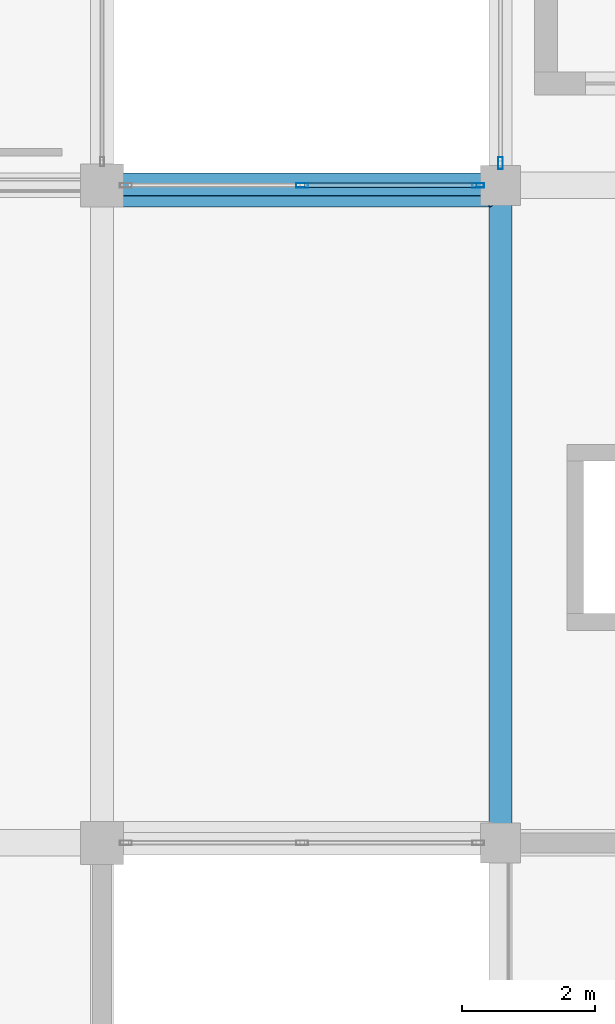
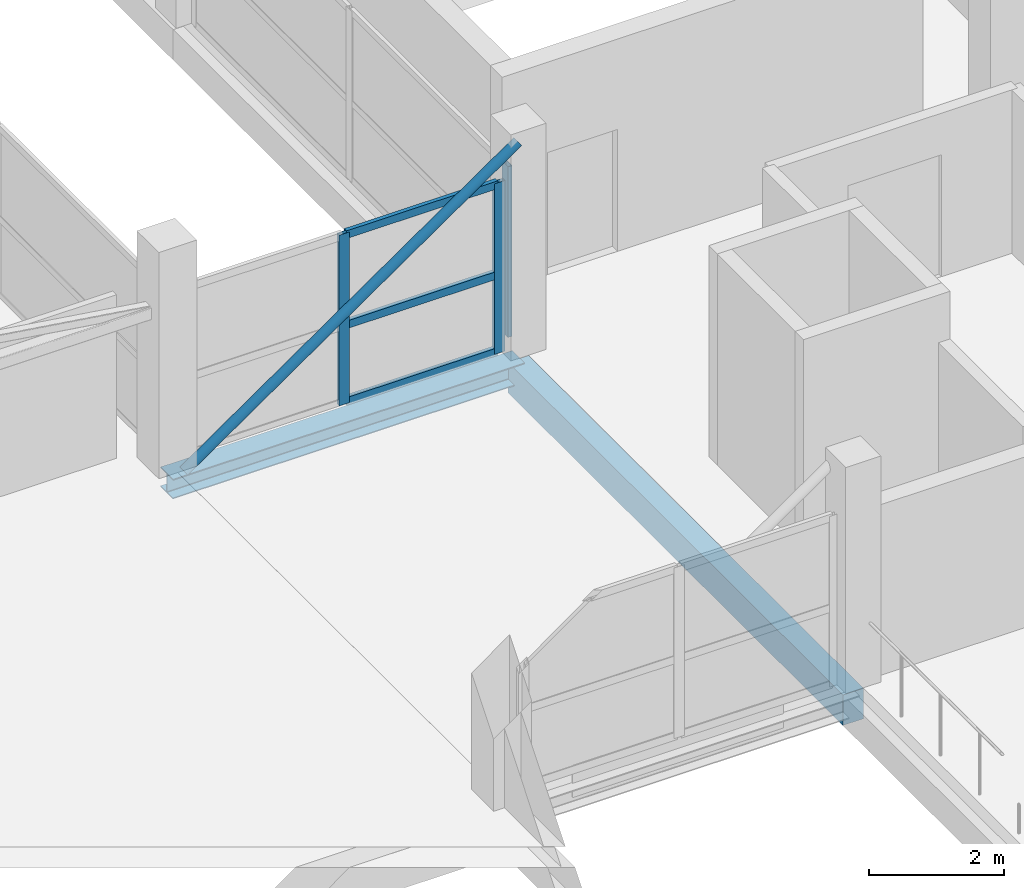
# One storey, part 15 of 53: 7 members, 2 beams, 2 elements without a shape of their own.
"""IFC4 building model written with IfcOpenShell, lengths in metres."""

from ifc_helpers import new_model, si_unit, direction, frame, origin, origin_2d, place, context, subcontext, project, spatial, rectangle, hollow_rectangle, hollow_circle, i_section, extrude, material, layer, layer_set, material_profile, profile_set, type_object, element, aggregate, save


model = new_model("IFC4")

# Units and contexts
model_context = context("Model", 3, precision=1e-05, world=origin(), true_north=direction((0.0, 1.0)))
body_context = subcontext(model_context, "Body", "Model", "MODEL_VIEW")
ifc_project = project(units=[si_unit("LENGTHUNIT", "METRE"), si_unit("AREAUNIT", "SQUARE_METRE"), si_unit("VOLUMEUNIT", "CUBIC_METRE"), si_unit("PLANEANGLEUNIT", "RADIAN"), si_unit("MASSUNIT", "GRAM", prefix="KILO")], contexts=[model_context])

# Site, building, storey
site_placement = place(None, origin())
site = spatial("IfcSite", under=ifc_project, at=site_placement, CompositionType="ELEMENT")
building_placement = place(site_placement, origin())
building = spatial("IfcBuilding", under=site, at=building_placement, Name="Sillaruma Civic Art Gallery", CompositionType="ELEMENT")
storey_placement = place(building_placement, frame((0.0, 0.0, 70.3798828125)))
storey = spatial("IfcBuildingStorey", under=building, at=storey_placement, Name="L14", CompositionType="ELEMENT", Elevation=70.3798828125)

# Beams
ifc_material_1 = material(Name="Structural Steel ASTM A992 Gr.50", Category="steel")
ifc_material_profile_1 = material_profile(ifc_material_1, i_section(OverallWidth=0.368896484375, OverallDepth=0.35595703125, WebThickness=0.01123046875, FlangeThickness=0.01806640625, FilletRadius=0.014892578125, at=origin_2d()), Name="W360x134")
ifc_profile_set_1 = profile_set([ifc_material_profile_1], Name="Structural Steel ASTM A992 Gr.50")
beam_type_1 = type_object("IfcBeamType", Name="BM-BRIDGE-W360x134", PredefinedType="SPANDREL", material=ifc_profile_set_1)
beam_1_placement = place(storey_placement, frame((92.0, 49.5, -0.387939453125), z_axis=(1.0, 0.0, 0.0), x_axis=(0.0, 1.0, 0.0)))
element("IfcBeam", 1, at=beam_1_placement, inside=storey, type_object=beam_type_1, Name="Sky-Bridge Steel Edge Girder (BRG-S:L14:N)", PredefinedType="SPANDREL", context=body_context, shape_type="SweptSolid", body=[
    extrude(i_section(OverallWidth=0.368896484375, OverallDepth=0.35595703125, WebThickness=0.01123046875, FlangeThickness=0.01806640625, FilletRadius=0.014892578125, at=origin_2d()), origin(), (0.0, 0.0, 1.0), 6.0),
])
ifc_material_2 = material(Name="Concrete H35 (35 MPa)", Category="concrete")
ifc_material_profile_2 = material_profile(ifc_material_2, rectangle(XDim=0.35009765625, YDim=0.550048828125, at=origin_2d()), Name="RCB350x550")
ifc_profile_set_2 = profile_set([ifc_material_profile_2], Name="Concrete H35 (35 MPa)")
beam_type_2 = type_object("IfcBeamType", Name="BM-SPANDREL-RCB350x550", PredefinedType="SPANDREL", material=ifc_profile_set_2)
beam_2_placement = place(storey_placement, frame((98.0, 39.60009765625, -0.52490234375), z_axis=(0.0, 1.0, 0.0), x_axis=(-1.0, 0.0, 0.0)))
element("IfcBeam", 2, at=beam_2_placement, inside=storey, type_object=beam_type_2, Name="Beam BS-04 (L13:L:5-6)", PredefinedType="SPANDREL", context=body_context, shape_type="SweptSolid", body=[
    extrude(rectangle(XDim=0.35009765625, YDim=0.550048828125, at=origin_2d()), origin(), (0.0, 0.0, 1.0), 9.89990234375),
])

# Member
ifc_material_3 = material(Name="Structural Steel ASTM A500 Gr.C", Category="steel")
ifc_material_profile_3 = material_profile(ifc_material_3, hollow_circle(Radius=0.084228515625, WallThickness=0.007080078125, at=origin_2d()), Name="CHS168.3x7.1")
ifc_profile_set_3 = profile_set([ifc_material_profile_3], Name="Structural Steel ASTM A500 Gr.C")
member_type_1 = type_object("IfcMemberType", Name="MEM-BRIDGE-BRACE", PredefinedType="BRACE", material=ifc_profile_set_3)
member_1_placement = place(storey_placement, frame((92.14990234375, 49.260009765625, -0.079833984375), z_axis=(0.821944981473, 0.0, 0.569566894606), x_axis=(0.0, 1.0, 0.0)))
element("IfcMember", 3, at=member_1_placement, inside=storey, type_object=member_type_1, Name="Sky-Bridge Elevation Truss Web Brace (BRG-S:L14:N)", PredefinedType="BRACE", context=body_context, shape_type="SweptSolid", body=[
    extrude(hollow_circle(Radius=0.084228515625, WallThickness=0.007080078125, at=origin_2d()), origin(), (0.0, 0.0, 1.0), 6.93505859375),
])

# Curtain wall, member
ifc_material_4 = material(Name="Thermally Broken Extruded Aluminium 6063-T6", Category="aluminium")
ifc_layer_1 = layer(ifc_material_4, 0.179931640625, Name="Thermally Broken Extruded Aluminium 6063-T6")
ifc_layer_set_1 = layer_set([ifc_layer_1], Name="Thermally Broken Extruded Aluminium 6063-T6")
curtain_wall_type_1 = type_object("IfcCurtainWallType", Name="CW-UNI-100", PredefinedType="NOTDEFINED", material=ifc_layer_set_1)
curtain_wall_1_placement = place(storey_placement, origin())
curtain_wall_1 = element("IfcCurtainWall", 4, at=curtain_wall_1_placement, inside=storey, type_object=curtain_wall_type_1, Name="Unitised Curtain Wall CW-100 (CW-L14-EHH-W1)", PredefinedType="NOTDEFINED")
ifc_material_profile_4 = material_profile(ifc_material_4, hollow_rectangle(XDim=0.070068359375, YDim=0.179931640625, WallThickness=0.00390625, at=origin_2d()), Name="CWM70x180")
ifc_profile_set_4 = profile_set([ifc_material_profile_4], Name="Thermally Broken Extruded Aluminium 6063-T6")
member_type_2 = type_object("IfcMemberType", Name="MEM-MUL-CWM70x180", PredefinedType="MULLION", material=ifc_profile_set_4)
member_2_placement = place(storey_placement, frame((98.0, 49.8349609375, 0.0), z_axis=(0.0, 0.0, 1.0), x_axis=(-1.0, 0.0, 0.0)))
member_2 = element("IfcMember", 5, at=member_2_placement, type_object=member_type_2, Name="CW-100 mullion 1", PredefinedType="MULLION", context=body_context, shape_type="SweptSolid", body=[
    extrude(hollow_rectangle(XDim=0.070068359375, YDim=0.179931640625, WallThickness=0.00390625, at=origin_2d()), origin(), (0.0, 0.0, 1.0), 3.080078125),
])
aggregate(curtain_wall_1, [member_2])

# Curtain wall, members
ifc_layer_2 = layer(ifc_material_4, 0.179931640625, Name="Thermally Broken Extruded Aluminium 6063-T6")
ifc_layer_set_2 = layer_set([ifc_layer_2], Name="Thermally Broken Extruded Aluminium 6063-T6")
curtain_wall_type_2 = type_object("IfcCurtainWallType", Name="CW-UNI-110", PredefinedType="NOTDEFINED", material=ifc_layer_set_2)
curtain_wall_2_placement = place(storey_placement, origin())
curtain_wall_2 = element("IfcCurtainWall", 6, at=curtain_wall_2_placement, inside=storey, type_object=curtain_wall_type_2, Name="Unitised Curtain Wall CW-110 (CW-BRG-S-L14-N)", PredefinedType="NOTDEFINED")
member_3_placement = place(storey_placement, frame((95.012451171875, 49.5, 0.0), z_axis=(0.0, 0.0, 1.0), x_axis=(0.0, 1.0, 0.0)))
member_3 = element("IfcMember", 7, at=member_3_placement, type_object=member_type_2, Name="CW-110 mullion 2", PredefinedType="MULLION", context=body_context, shape_type="SweptSolid", body=[
    extrude(hollow_rectangle(XDim=0.070068359375, YDim=0.179931640625, WallThickness=0.00390625, at=origin_2d()), origin(), (0.0, 0.0, 1.0), 3.080078125),
])
member_4_placement = place(storey_placement, frame((97.6650390625, 49.5, 0.0), z_axis=(0.0, 0.0, 1.0), x_axis=(0.0, 1.0, 0.0)))
member_4 = element("IfcMember", 8, at=member_4_placement, type_object=member_type_2, Name="CW-110 mullion 3", PredefinedType="MULLION", context=body_context, shape_type="SweptSolid", body=[
    extrude(hollow_rectangle(XDim=0.070068359375, YDim=0.179931640625, WallThickness=0.00390625, at=origin_2d()), origin(), (0.0, 0.0, 1.0), 3.080078125),
])
ifc_material_profile_5 = material_profile(ifc_material_4, hollow_rectangle(XDim=0.070068359375, YDim=0.139892578125, WallThickness=0.00390625, at=origin_2d()), Name="CWT70x140")
ifc_profile_set_5 = profile_set([ifc_material_profile_5], Name="Thermally Broken Extruded Aluminium 6063-T6")
member_type_3 = type_object("IfcMemberType", Name="MEM-TRN-CWT70x140", PredefinedType="USERDEFINED", material=ifc_profile_set_5)
member_5_placement = place(storey_placement, frame((95.047607421875, 49.5, 0.03515625), z_axis=(1.0, 0.0, 0.0), x_axis=(0.0, 1.0, 0.0)))
member_5 = element("IfcMember", 9, at=member_5_placement, type_object=member_type_3, Name="CW-110 transom 2.1", ObjectType="TRANSOM", PredefinedType="USERDEFINED", context=body_context, shape_type="SweptSolid", body=[
    extrude(hollow_rectangle(XDim=0.070068359375, YDim=0.139892578125, WallThickness=0.00390625, at=origin_2d()), origin(), (0.0, 0.0, 1.0), 2.582275390625),
])
member_6_placement = place(storey_placement, frame((95.047607421875, 49.5, 1.4169921875), z_axis=(1.0, 0.0, 0.0), x_axis=(0.0, 1.0, 0.0)))
member_6 = element("IfcMember", 10, at=member_6_placement, type_object=member_type_3, Name="CW-110 transom 2.2", ObjectType="TRANSOM", PredefinedType="USERDEFINED", context=body_context, shape_type="SweptSolid", body=[
    extrude(hollow_rectangle(XDim=0.070068359375, YDim=0.139892578125, WallThickness=0.00390625, at=origin_2d()), origin(), (0.0, 0.0, 1.0), 2.582275390625),
])
member_7_placement = place(storey_placement, frame((95.047607421875, 49.5, 3.045166015625), z_axis=(1.0, 0.0, 0.0), x_axis=(0.0, 1.0, 0.0)))
member_7 = element("IfcMember", 11, at=member_7_placement, type_object=member_type_3, Name="CW-110 transom 2.3", ObjectType="TRANSOM", PredefinedType="USERDEFINED", context=body_context, shape_type="SweptSolid", body=[
    extrude(hollow_rectangle(XDim=0.070068359375, YDim=0.139892578125, WallThickness=0.00390625, at=origin_2d()), origin(), (0.0, 0.0, 1.0), 2.582275390625),
])
aggregate(curtain_wall_2, [member_3, member_4, member_5, member_6, member_7])

save(model, "model.ifc")
